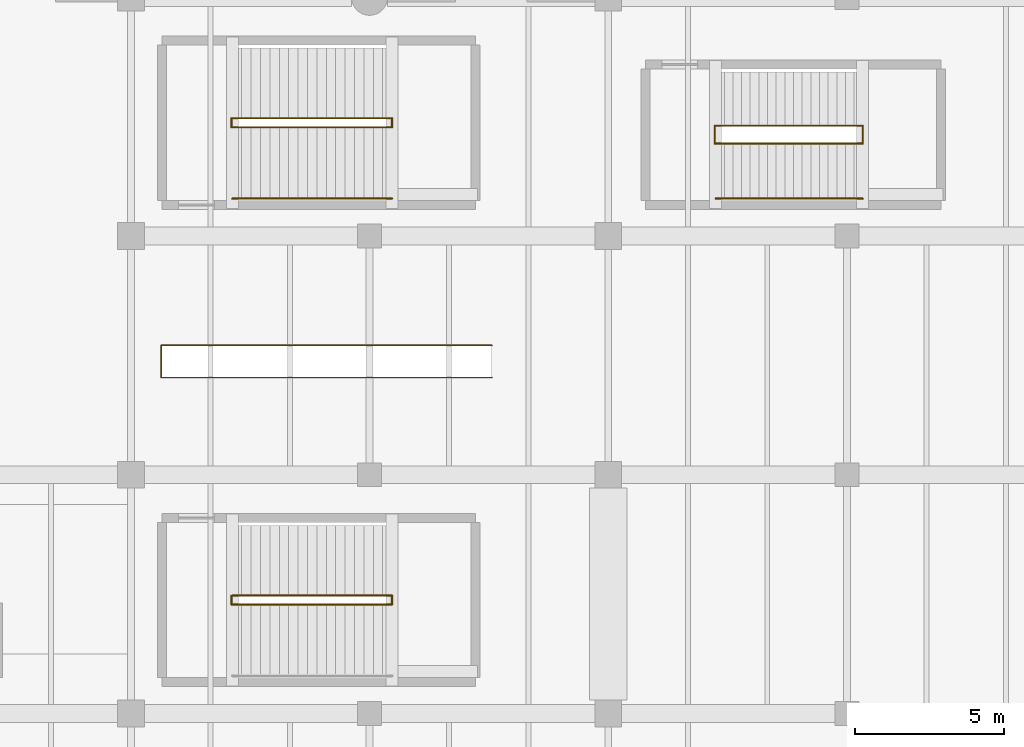
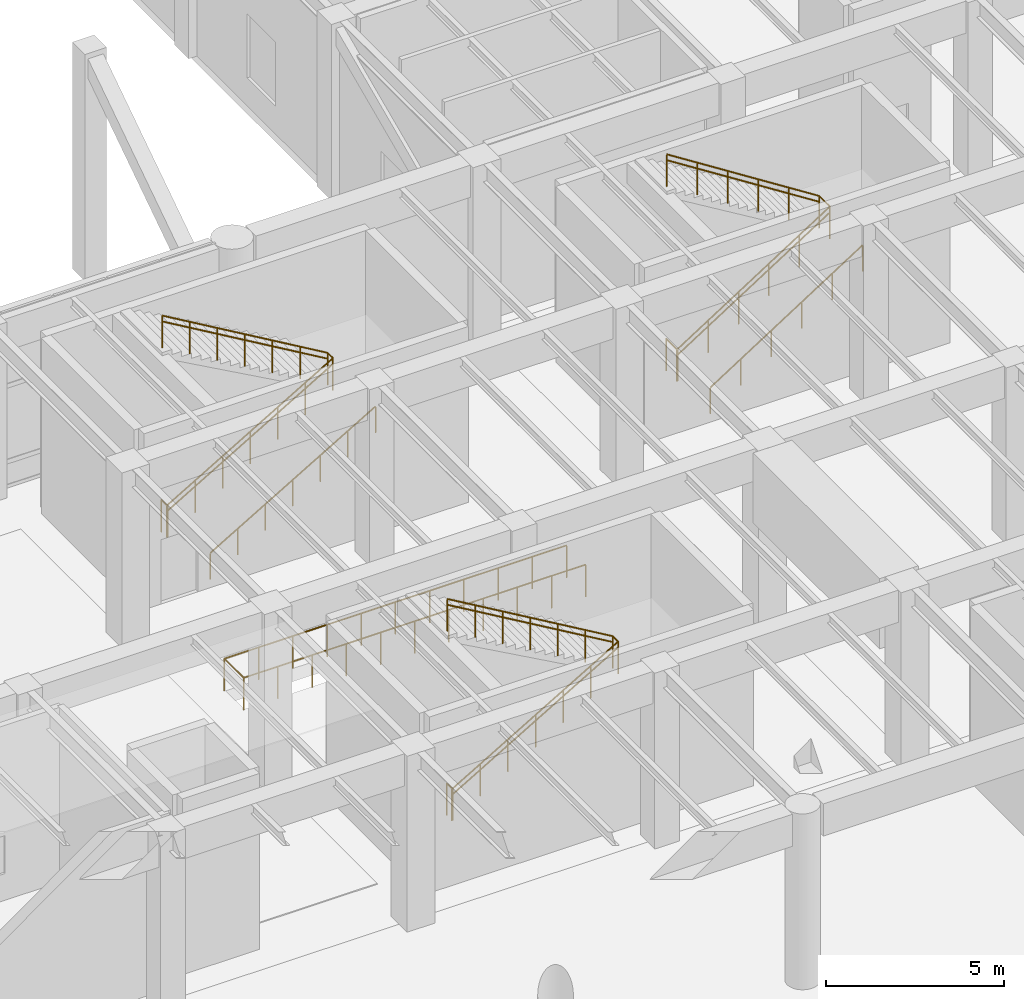
# One storey, part 48 of 51: 18 railings.
"""IFC4 building model written with IfcOpenShell, lengths in metres."""

from ifc_helpers import new_model, si_unit, direction, frame, origin, origin_2d, place, context, subcontext, project, spatial, circle, extrude, material, type_object, element, save


model = new_model("IFC4")

# Units and contexts
model_context = context("Model", 3, precision=1e-05, world=origin(), true_north=direction((0.0, 1.0)))
body_context = subcontext(model_context, "Body", "Model", "MODEL_VIEW")
ifc_project = project(units=[si_unit("LENGTHUNIT", "METRE"), si_unit("AREAUNIT", "SQUARE_METRE"), si_unit("VOLUMEUNIT", "CUBIC_METRE"), si_unit("PLANEANGLEUNIT", "RADIAN"), si_unit("MASSUNIT", "GRAM", prefix="KILO")], contexts=[model_context])

# Site, building, storey
site_placement = place(None, origin())
site = spatial("IfcSite", under=ifc_project, at=site_placement, CompositionType="ELEMENT")
building_placement = place(site_placement, origin())
building = spatial("IfcBuilding", under=site, at=building_placement, Name="Varnela Railside Interchange", CompositionType="ELEMENT")
storey_placement = place(building_placement, origin())
storey = spatial("IfcBuildingStorey", under=building, at=storey_placement, Name="L00", CompositionType="ELEMENT", Elevation=0.0)

# Railings
ifc_material_1 = material(Name="Glass laminated double", Category="glass")
railing_type_1 = type_object("IfcRailingType", Name="Concourse Atrium Balustrade BL-01", PredefinedType="BALUSTRADE", material=ifc_material_1)
railing_1_placement = place(storey_placement, frame((112.10009765625, 49.260009765625, 0.0)))
element("IfcRailing", 1, at=railing_1_placement, inside=storey, type_object=railing_type_1, Name="Escalator Well Balustrade ES6 (RL-0215)", PredefinedType="BALUSTRADE", context=body_context, shape_type="SweptSolid", body=[
    extrude(circle(Radius=0.02392578125, at=origin_2d()), frame((0.0, 0.0, 1.09619140625), z_axis=(-1.0, 0.0, 0.0), x_axis=(0.0, -1.0, 0.0)), (0.0, 0.0, 1.0), 11.080078125),
    extrude(circle(Radius=0.02392578125, at=origin_2d()), frame((-11.080078125, 0.0, 1.09619140625), z_axis=(0.0, 1.0, 0.0), x_axis=(-1.0, 0.0, 0.0)), (0.0, 0.0, 1.0), 1.080078125),
    extrude(circle(Radius=0.02392578125, at=origin_2d()), frame((-11.080078125, 1.080078125, 1.09619140625), z_axis=(1.0, 0.0, 0.0), x_axis=(0.0, 1.0, 0.0)), (0.0, 0.0, 1.0), 11.080078125),
    extrude(circle(Radius=0.02099609375, at=origin_2d()), origin(), (0.0, 0.0, 1.0), 1.072021484375),
    extrude(circle(Radius=0.02099609375, at=origin_2d()), frame((-1.10791015625, 0.0, 0.0)), (0.0, 0.0, 1.0), 1.072021484375),
    extrude(circle(Radius=0.02099609375, at=origin_2d()), frame((-2.216064453125, 0.0, 0.0)), (0.0, 0.0, 1.0), 1.072021484375),
    extrude(circle(Radius=0.02099609375, at=origin_2d()), frame((-3.323974609375, 0.0, 0.0)), (0.0, 0.0, 1.0), 1.072021484375),
    extrude(circle(Radius=0.02099609375, at=origin_2d()), frame((-4.43212890625, 0.0, 0.0)), (0.0, 0.0, 1.0), 1.072021484375),
    extrude(circle(Radius=0.02099609375, at=origin_2d()), frame((-5.5400390625, 0.0, 0.0)), (0.0, 0.0, 1.0), 1.072021484375),
    extrude(circle(Radius=0.02099609375, at=origin_2d()), frame((-6.64794921875, 0.0, 0.0)), (0.0, 0.0, 1.0), 1.072021484375),
    extrude(circle(Radius=0.02099609375, at=origin_2d()), frame((-7.756103515625, 0.0, 0.0)), (0.0, 0.0, 1.0), 1.072021484375),
    extrude(circle(Radius=0.02099609375, at=origin_2d()), frame((-8.864013671875, 0.0, 0.0)), (0.0, 0.0, 1.0), 1.072021484375),
    extrude(circle(Radius=0.02099609375, at=origin_2d()), frame((-9.97216796875, 0.0, 0.0)), (0.0, 0.0, 1.0), 1.072021484375),
    extrude(circle(Radius=0.02099609375, at=origin_2d()), frame((-11.080078125, 0.0, 0.0)), (0.0, 0.0, 1.0), 1.072021484375),
    extrude(circle(Radius=0.02099609375, at=origin_2d()), frame((-11.080078125, 1.080078125, 0.0)), (0.0, 0.0, 1.0), 1.072021484375),
    extrude(circle(Radius=0.02099609375, at=origin_2d()), frame((-9.97216796875, 1.080078125, 0.0)), (0.0, 0.0, 1.0), 1.072021484375),
    extrude(circle(Radius=0.02099609375, at=origin_2d()), frame((-8.864013671875, 1.080078125, 0.0)), (0.0, 0.0, 1.0), 1.072021484375),
    extrude(circle(Radius=0.02099609375, at=origin_2d()), frame((-7.756103515625, 1.080078125, 0.0)), (0.0, 0.0, 1.0), 1.072021484375),
    extrude(circle(Radius=0.02099609375, at=origin_2d()), frame((-6.64794921875, 1.080078125, 0.0)), (0.0, 0.0, 1.0), 1.072021484375),
    extrude(circle(Radius=0.02099609375, at=origin_2d()), frame((-5.5400390625, 1.080078125, 0.0)), (0.0, 0.0, 1.0), 1.072021484375),
    extrude(circle(Radius=0.02099609375, at=origin_2d()), frame((-4.43212890625, 1.080078125, 0.0)), (0.0, 0.0, 1.0), 1.072021484375),
    extrude(circle(Radius=0.02099609375, at=origin_2d()), frame((-3.323974609375, 1.080078125, 0.0)), (0.0, 0.0, 1.0), 1.072021484375),
    extrude(circle(Radius=0.02099609375, at=origin_2d()), frame((-2.216064453125, 1.080078125, 0.0)), (0.0, 0.0, 1.0), 1.072021484375),
    extrude(circle(Radius=0.02099609375, at=origin_2d()), frame((-1.10791015625, 1.080078125, 0.0)), (0.0, 0.0, 1.0), 1.072021484375),
    extrude(circle(Radius=0.02099609375, at=origin_2d()), frame((0.0, 1.080078125, 0.0)), (0.0, 0.0, 1.0), 1.072021484375),
])
ifc_material_2 = material(Name="Steel AR 350 (350 MPa)", Category="steel")
railing_type_2 = type_object("IfcRailingType", Name="Stair & Ramp Pitch Handrail HR-01", PredefinedType="HANDRAIL", material=ifc_material_2)
railing_2_placement = place(storey_placement, frame((119.60009765625, 57.10009765625, 0.0)))
element("IfcRailing", 2, at=railing_2_placement, inside=storey, type_object=railing_type_2, Name="Stair Handrail ST-E1 Flight 1 (RL-0224)", PredefinedType="HANDRAIL", context=body_context, shape_type="SweptSolid", body=[
    extrude(circle(Radius=0.02392578125, at=origin_2d()), frame((0.0, 0.0, 0.89599609375), z_axis=(0.842678903752, 0.0, 0.538416442144), x_axis=(0.0, 1.0, 0.0)), (0.0, 0.0, 1.0), 5.850341796875),
    extrude(circle(Radius=0.02099609375, at=origin_2d()), origin(), (0.0, 0.0, 1.0), 0.871826171875),
    extrude(circle(Radius=0.02099609375, at=origin_2d()), frame((0.986083984375, 0.0, 0.6298828125)), (0.0, 0.0, 1.0), 0.871826171875),
    extrude(circle(Radius=0.02099609375, at=origin_2d()), frame((1.971923828125, 0.0, 1.260009765625)), (0.0, 0.0, 1.0), 0.871826171875),
    extrude(circle(Radius=0.02099609375, at=origin_2d()), frame((2.9580078125, 0.0, 1.889892578125)), (0.0, 0.0, 1.0), 0.871826171875),
    extrude(circle(Radius=0.02099609375, at=origin_2d()), frame((3.94384765625, 0.0, 2.52001953125)), (0.0, 0.0, 1.0), 0.871826171875),
    extrude(circle(Radius=0.02099609375, at=origin_2d()), frame((4.929931640625, 0.0, 3.14990234375)), (0.0, 0.0, 1.0), 0.871826171875),
])
railing_3_placement = place(storey_placement, frame((124.530029296875, 57.699951171875, 3.14990234375)))
element("IfcRailing", 3, at=railing_3_placement, inside=storey, type_object=railing_type_2, Name="Stair Handrail ST-E1 Flight 2 (RL-0225)", PredefinedType="HANDRAIL", context=body_context, shape_type="SweptSolid", body=[
    extrude(circle(Radius=0.02392578125, at=origin_2d()), frame((0.0, 0.0, 0.89599609375), z_axis=(-0.842659969685, 0.0, 0.538446074821), x_axis=(0.0, -1.0, 0.0)), (0.0, 0.0, 1.0), 5.850341796875),
    extrude(circle(Radius=0.02099609375, at=origin_2d()), origin(), (0.0, 0.0, 1.0), 0.871826171875),
    extrude(circle(Radius=0.02099609375, at=origin_2d()), frame((-0.986083984375, 0.0, 0.630126953125)), (0.0, 0.0, 1.0), 0.871826171875),
    extrude(circle(Radius=0.02099609375, at=origin_2d()), frame((-1.971923828125, 0.0, 1.260009765625)), (0.0, 0.0, 1.0), 0.871826171875),
    extrude(circle(Radius=0.02099609375, at=origin_2d()), frame((-2.9580078125, 0.0, 1.89013671875)), (0.0, 0.0, 1.0), 0.871826171875),
    extrude(circle(Radius=0.02099609375, at=origin_2d()), frame((-3.94384765625, 0.0, 2.52001953125)), (0.0, 0.0, 1.0), 0.871826171875),
    extrude(circle(Radius=0.02099609375, at=origin_2d()), frame((-4.929931640625, 0.0, 3.150146484375)), (0.0, 0.0, 1.0), 0.871826171875),
])
railing_4_placement = place(storey_placement, frame((103.39990234375, 41.64990234375, 0.0)))
element("IfcRailing", 4, at=railing_4_placement, inside=storey, type_object=railing_type_2, Name="Stair Handrail ST-C2 Flight 1 (RL-0218)", PredefinedType="HANDRAIL", context=body_context, shape_type="SweptSolid", body=[
    extrude(circle(Radius=0.02392578125, at=origin_2d()), frame((0.0, 0.0, 0.89599609375), z_axis=(0.861940276329, 0.0, 0.507009822431), x_axis=(0.0, 1.0, 0.0)), (0.0, 0.0, 1.0), 6.212646484375),
    extrude(circle(Radius=0.02099609375, at=origin_2d()), origin(), (0.0, 0.0, 1.0), 0.871826171875),
    extrude(circle(Radius=0.02099609375, at=origin_2d()), frame((0.892578125, 0.0, 0.52490234375)), (0.0, 0.0, 1.0), 0.871826171875),
    extrude(circle(Radius=0.02099609375, at=origin_2d()), frame((1.784912109375, 0.0, 1.050048828125)), (0.0, 0.0, 1.0), 0.871826171875),
    extrude(circle(Radius=0.02099609375, at=origin_2d()), frame((2.677490234375, 0.0, 1.574951171875)), (0.0, 0.0, 1.0), 0.871826171875),
    extrude(circle(Radius=0.02099609375, at=origin_2d()), frame((3.570068359375, 0.0, 2.099853515625)), (0.0, 0.0, 1.0), 0.871826171875),
    extrude(circle(Radius=0.02099609375, at=origin_2d()), frame((4.46240234375, 0.0, 2.625)), (0.0, 0.0, 1.0), 0.871826171875),
    extrude(circle(Radius=0.02099609375, at=origin_2d()), frame((5.35498046875, 0.0, 3.14990234375)), (0.0, 0.0, 1.0), 0.871826171875),
])
railing_5_placement = place(storey_placement, frame((108.7548828125, 41.949951171875, 3.14990234375)))
element("IfcRailing", 5, at=railing_5_placement, inside=storey, type_object=railing_type_2, Name="Stair Handrail ST-C2 Flight 2 (RL-0219)", PredefinedType="HANDRAIL", context=body_context, shape_type="SweptSolid", body=[
    extrude(circle(Radius=0.02392578125, at=origin_2d()), frame((0.0, 0.0, 0.89599609375), z_axis=(-0.861923102912, 0.0, 0.507039016908), x_axis=(0.0, -1.0, 0.0)), (0.0, 0.0, 1.0), 6.212890625),
    extrude(circle(Radius=0.02099609375, at=origin_2d()), origin(), (0.0, 0.0, 1.0), 0.871826171875),
    extrude(circle(Radius=0.02099609375, at=origin_2d()), frame((-0.892578125, 0.0, 0.52490234375)), (0.0, 0.0, 1.0), 0.871826171875),
    extrude(circle(Radius=0.02099609375, at=origin_2d()), frame((-1.784912109375, 0.0, 1.050048828125)), (0.0, 0.0, 1.0), 0.871826171875),
    extrude(circle(Radius=0.02099609375, at=origin_2d()), frame((-2.677490234375, 0.0, 1.5751953125)), (0.0, 0.0, 1.0), 0.871826171875),
    extrude(circle(Radius=0.02099609375, at=origin_2d()), frame((-3.570068359375, 0.0, 2.10009765625)), (0.0, 0.0, 1.0), 0.871826171875),
    extrude(circle(Radius=0.02099609375, at=origin_2d()), frame((-4.46240234375, 0.0, 2.625)), (0.0, 0.0, 1.0), 0.871826171875),
    extrude(circle(Radius=0.02099609375, at=origin_2d()), frame((-5.35498046875, 0.0, 3.150146484375)), (0.0, 0.0, 1.0), 0.871826171875),
])
railing_6_placement = place(storey_placement, frame((103.39990234375, 57.64990234375, 0.0)))
element("IfcRailing", 6, at=railing_6_placement, inside=storey, type_object=railing_type_2, Name="Stair Handrail ST-C4 Flight 1 (RL-0222)", PredefinedType="HANDRAIL", context=body_context, shape_type="SweptSolid", body=[
    extrude(circle(Radius=0.02392578125, at=origin_2d()), frame((0.0, 0.0, 0.89599609375), z_axis=(0.861940276329, 0.0, 0.507009822431), x_axis=(0.0, 1.0, 0.0)), (0.0, 0.0, 1.0), 6.212646484375),
    extrude(circle(Radius=0.02099609375, at=origin_2d()), origin(), (0.0, 0.0, 1.0), 0.871826171875),
    extrude(circle(Radius=0.02099609375, at=origin_2d()), frame((0.892578125, 0.0, 0.52490234375)), (0.0, 0.0, 1.0), 0.871826171875),
    extrude(circle(Radius=0.02099609375, at=origin_2d()), frame((1.784912109375, 0.0, 1.050048828125)), (0.0, 0.0, 1.0), 0.871826171875),
    extrude(circle(Radius=0.02099609375, at=origin_2d()), frame((2.677490234375, 0.0, 1.574951171875)), (0.0, 0.0, 1.0), 0.871826171875),
    extrude(circle(Radius=0.02099609375, at=origin_2d()), frame((3.570068359375, 0.0, 2.099853515625)), (0.0, 0.0, 1.0), 0.871826171875),
    extrude(circle(Radius=0.02099609375, at=origin_2d()), frame((4.46240234375, 0.0, 2.625)), (0.0, 0.0, 1.0), 0.871826171875),
    extrude(circle(Radius=0.02099609375, at=origin_2d()), frame((5.35498046875, 0.0, 3.14990234375)), (0.0, 0.0, 1.0), 0.871826171875),
])
railing_7_placement = place(storey_placement, frame((108.7548828125, 57.949951171875, 3.14990234375)))
element("IfcRailing", 7, at=railing_7_placement, inside=storey, type_object=railing_type_2, Name="Stair Handrail ST-C4 Flight 2 (RL-0223)", PredefinedType="HANDRAIL", context=body_context, shape_type="SweptSolid", body=[
    extrude(circle(Radius=0.02392578125, at=origin_2d()), frame((0.0, 0.0, 0.89599609375), z_axis=(-0.861923102912, 0.0, 0.507039016908), x_axis=(0.0, -1.0, 0.0)), (0.0, 0.0, 1.0), 6.212890625),
    extrude(circle(Radius=0.02099609375, at=origin_2d()), origin(), (0.0, 0.0, 1.0), 0.871826171875),
    extrude(circle(Radius=0.02099609375, at=origin_2d()), frame((-0.892578125, 0.0, 0.52490234375)), (0.0, 0.0, 1.0), 0.871826171875),
    extrude(circle(Radius=0.02099609375, at=origin_2d()), frame((-1.784912109375, 0.0, 1.050048828125)), (0.0, 0.0, 1.0), 0.871826171875),
    extrude(circle(Radius=0.02099609375, at=origin_2d()), frame((-2.677490234375, 0.0, 1.5751953125)), (0.0, 0.0, 1.0), 0.871826171875),
    extrude(circle(Radius=0.02099609375, at=origin_2d()), frame((-3.570068359375, 0.0, 2.10009765625)), (0.0, 0.0, 1.0), 0.871826171875),
    extrude(circle(Radius=0.02099609375, at=origin_2d()), frame((-4.46240234375, 0.0, 2.625)), (0.0, 0.0, 1.0), 0.871826171875),
    extrude(circle(Radius=0.02099609375, at=origin_2d()), frame((-5.35498046875, 0.0, 3.150146484375)), (0.0, 0.0, 1.0), 0.871826171875),
])
railing_type_3 = type_object("IfcRailingType", Name="Stair Well & Landing Guard GR-02", PredefinedType="GUARDRAIL", material=ifc_material_2)
railing_8_placement = place(storey_placement, frame((119.570068359375, 57.10009765625, 0.0)))
element("IfcRailing", 8, at=railing_8_placement, inside=storey, type_object=railing_type_3, Name="Stair Well Slot Guard ST-E1 on L00 (RL-0187)", PredefinedType="GUARDRAIL", context=body_context, shape_type="SweptSolid", body=[
    extrude(circle(Radius=0.02392578125, at=origin_2d()), frame((0.0, 0.0, 1.09619140625), z_axis=(0.0, 1.0, 0.0), x_axis=(-1.0, 0.0, 0.0)), (0.0, 0.0, 1.0), 0.599853515625),
    extrude(circle(Radius=0.02099609375, at=origin_2d()), origin(), (0.0, 0.0, 1.0), 1.072021484375),
    extrude(circle(Radius=0.02099609375, at=origin_2d()), frame((0.0, 0.599853515625, 0.0)), (0.0, 0.0, 1.0), 1.072021484375),
])
railing_9_placement = place(storey_placement, frame((119.60009765625, 57.10009765625, 0.0)))
element("IfcRailing", 9, at=railing_9_placement, inside=storey, type_object=railing_type_3, Name="Stair Guard ST-E1 Half-Landing (RL-0185)", PredefinedType="GUARDRAIL", context=body_context, shape_type="SweptSolid", body=[
    extrude(circle(Radius=0.02392578125, at=origin_2d()), frame((0.0, 0.0, 1.09619140625), z_axis=(0.842678903752, 0.0, 0.538416442144), x_axis=(0.0, 1.0, 0.0)), (0.0, 0.0, 1.0), 5.850341796875),
    extrude(circle(Radius=0.02392578125, at=origin_2d()), frame((4.929931640625, 0.0, 4.24609375), z_axis=(0.0, 1.0, 0.0), x_axis=(-1.0, 0.0, 0.0)), (0.0, 0.0, 1.0), 0.599853515625),
    extrude(circle(Radius=0.02099609375, at=origin_2d()), origin(), (0.0, 0.0, 1.0), 1.072021484375),
    extrude(circle(Radius=0.02099609375, at=origin_2d()), frame((0.986083984375, 0.0, 0.6298828125)), (0.0, 0.0, 1.0), 1.072021484375),
    extrude(circle(Radius=0.02099609375, at=origin_2d()), frame((1.971923828125, 0.0, 1.260009765625)), (0.0, 0.0, 1.0), 1.072021484375),
    extrude(circle(Radius=0.02099609375, at=origin_2d()), frame((2.9580078125, 0.0, 1.889892578125)), (0.0, 0.0, 1.0), 1.072021484375),
    extrude(circle(Radius=0.02099609375, at=origin_2d()), frame((3.94384765625, 0.0, 2.52001953125)), (0.0, 0.0, 1.0), 1.072021484375),
    extrude(circle(Radius=0.02099609375, at=origin_2d()), frame((4.929931640625, 0.0, 3.14990234375)), (0.0, 0.0, 1.0), 1.072021484375),
    extrude(circle(Radius=0.02099609375, at=origin_2d()), frame((4.929931640625, 0.599853515625, 3.14990234375)), (0.0, 0.0, 1.0), 1.072021484375),
])
railing_10_placement = place(storey_placement, frame((124.530029296875, 57.699951171875, 3.14990234375)))
element("IfcRailing", 10, at=railing_10_placement, inside=storey, type_object=railing_type_3, Name="Stair Guard ST-E1 Upper Flight (RL-0186)", PredefinedType="GUARDRAIL", context=body_context, shape_type="SweptSolid", body=[
    extrude(circle(Radius=0.02392578125, at=origin_2d()), frame((0.0, 0.0, 1.09619140625), z_axis=(-0.842659969685, 0.0, 0.538446074821), x_axis=(0.0, -1.0, 0.0)), (0.0, 0.0, 1.0), 5.850341796875),
    extrude(circle(Radius=0.02099609375, at=origin_2d()), origin(), (0.0, 0.0, 1.0), 1.072021484375),
    extrude(circle(Radius=0.02099609375, at=origin_2d()), frame((-0.986083984375, 0.0, 0.630126953125)), (0.0, 0.0, 1.0), 1.072021484375),
    extrude(circle(Radius=0.02099609375, at=origin_2d()), frame((-1.971923828125, 0.0, 1.260009765625)), (0.0, 0.0, 1.0), 1.072021484375),
    extrude(circle(Radius=0.02099609375, at=origin_2d()), frame((-2.9580078125, 0.0, 1.89013671875)), (0.0, 0.0, 1.0), 1.072021484375),
    extrude(circle(Radius=0.02099609375, at=origin_2d()), frame((-3.94384765625, 0.0, 2.52001953125)), (0.0, 0.0, 1.0), 1.072021484375),
    extrude(circle(Radius=0.02099609375, at=origin_2d()), frame((-4.929931640625, 0.0, 3.150146484375)), (0.0, 0.0, 1.0), 1.072021484375),
])
railing_11_placement = place(storey_placement, frame((103.3701171875, 41.64990234375, 0.0)))
element("IfcRailing", 11, at=railing_11_placement, inside=storey, type_object=railing_type_3, Name="Stair Well Slot Guard ST-C2 on L00 (RL-0178)", PredefinedType="GUARDRAIL", context=body_context, shape_type="SweptSolid", body=[
    extrude(circle(Radius=0.02392578125, at=origin_2d()), frame((0.0, 0.0, 1.09619140625), z_axis=(0.0, 1.0, 0.0), x_axis=(-1.0, 0.0, 0.0)), (0.0, 0.0, 1.0), 0.300048828125),
    extrude(circle(Radius=0.02099609375, at=origin_2d()), origin(), (0.0, 0.0, 1.0), 1.072021484375),
    extrude(circle(Radius=0.02099609375, at=origin_2d()), frame((0.0, 0.300048828125, 0.0)), (0.0, 0.0, 1.0), 1.072021484375),
])
railing_12_placement = place(storey_placement, frame((103.39990234375, 41.64990234375, 0.0)))
element("IfcRailing", 12, at=railing_12_placement, inside=storey, type_object=railing_type_3, Name="Stair Guard ST-C2 Half-Landing (RL-0176)", PredefinedType="GUARDRAIL", context=body_context, shape_type="SweptSolid", body=[
    extrude(circle(Radius=0.02392578125, at=origin_2d()), frame((0.0, 0.0, 1.09619140625), z_axis=(0.861940276329, 0.0, 0.507009822431), x_axis=(0.0, 1.0, 0.0)), (0.0, 0.0, 1.0), 6.212646484375),
    extrude(circle(Radius=0.02392578125, at=origin_2d()), frame((5.35498046875, 0.0, 4.24609375), z_axis=(0.0, 1.0, 0.0), x_axis=(-1.0, 0.0, 0.0)), (0.0, 0.0, 1.0), 0.300048828125),
    extrude(circle(Radius=0.02099609375, at=origin_2d()), origin(), (0.0, 0.0, 1.0), 1.072021484375),
    extrude(circle(Radius=0.02099609375, at=origin_2d()), frame((0.892578125, 0.0, 0.52490234375)), (0.0, 0.0, 1.0), 1.072021484375),
    extrude(circle(Radius=0.02099609375, at=origin_2d()), frame((1.784912109375, 0.0, 1.050048828125)), (0.0, 0.0, 1.0), 1.072021484375),
    extrude(circle(Radius=0.02099609375, at=origin_2d()), frame((2.677490234375, 0.0, 1.574951171875)), (0.0, 0.0, 1.0), 1.072021484375),
    extrude(circle(Radius=0.02099609375, at=origin_2d()), frame((3.570068359375, 0.0, 2.099853515625)), (0.0, 0.0, 1.0), 1.072021484375),
    extrude(circle(Radius=0.02099609375, at=origin_2d()), frame((4.46240234375, 0.0, 2.625)), (0.0, 0.0, 1.0), 1.072021484375),
    extrude(circle(Radius=0.02099609375, at=origin_2d()), frame((5.35498046875, 0.0, 3.14990234375)), (0.0, 0.0, 1.0), 1.072021484375),
    extrude(circle(Radius=0.02099609375, at=origin_2d()), frame((5.35498046875, 0.300048828125, 3.14990234375)), (0.0, 0.0, 1.0), 1.072021484375),
])
railing_13_placement = place(storey_placement, frame((108.7548828125, 41.949951171875, 3.14990234375)))
element("IfcRailing", 13, at=railing_13_placement, inside=storey, type_object=railing_type_3, Name="Stair Guard ST-C2 Upper Flight (RL-0177)", PredefinedType="GUARDRAIL", context=body_context, shape_type="SweptSolid", body=[
    extrude(circle(Radius=0.02392578125, at=origin_2d()), frame((0.0, 0.0, 1.09619140625), z_axis=(-0.861923102912, 0.0, 0.507039016908), x_axis=(0.0, -1.0, 0.0)), (0.0, 0.0, 1.0), 6.212890625),
    extrude(circle(Radius=0.02099609375, at=origin_2d()), origin(), (0.0, 0.0, 1.0), 1.072021484375),
    extrude(circle(Radius=0.02099609375, at=origin_2d()), frame((-0.892578125, 0.0, 0.52490234375)), (0.0, 0.0, 1.0), 1.072021484375),
    extrude(circle(Radius=0.02099609375, at=origin_2d()), frame((-1.784912109375, 0.0, 1.050048828125)), (0.0, 0.0, 1.0), 1.072021484375),
    extrude(circle(Radius=0.02099609375, at=origin_2d()), frame((-2.677490234375, 0.0, 1.5751953125)), (0.0, 0.0, 1.0), 1.072021484375),
    extrude(circle(Radius=0.02099609375, at=origin_2d()), frame((-3.570068359375, 0.0, 2.10009765625)), (0.0, 0.0, 1.0), 1.072021484375),
    extrude(circle(Radius=0.02099609375, at=origin_2d()), frame((-4.46240234375, 0.0, 2.625)), (0.0, 0.0, 1.0), 1.072021484375),
    extrude(circle(Radius=0.02099609375, at=origin_2d()), frame((-5.35498046875, 0.0, 3.150146484375)), (0.0, 0.0, 1.0), 1.072021484375),
])
railing_14_placement = place(storey_placement, frame((103.3701171875, 57.64990234375, 0.0)))
element("IfcRailing", 14, at=railing_14_placement, inside=storey, type_object=railing_type_3, Name="Stair Well Slot Guard ST-C4 on L00 (RL-0184)", PredefinedType="GUARDRAIL", context=body_context, shape_type="SweptSolid", body=[
    extrude(circle(Radius=0.02392578125, at=origin_2d()), frame((0.0, 0.0, 1.09619140625), z_axis=(0.0, 1.0, 0.0), x_axis=(-1.0, 0.0, 0.0)), (0.0, 0.0, 1.0), 0.300048828125),
    extrude(circle(Radius=0.02099609375, at=origin_2d()), origin(), (0.0, 0.0, 1.0), 1.072021484375),
    extrude(circle(Radius=0.02099609375, at=origin_2d()), frame((0.0, 0.300048828125, 0.0)), (0.0, 0.0, 1.0), 1.072021484375),
])
railing_15_placement = place(storey_placement, frame((103.39990234375, 57.64990234375, 0.0)))
element("IfcRailing", 15, at=railing_15_placement, inside=storey, type_object=railing_type_3, Name="Stair Guard ST-C4 Half-Landing (RL-0182)", PredefinedType="GUARDRAIL", context=body_context, shape_type="SweptSolid", body=[
    extrude(circle(Radius=0.02392578125, at=origin_2d()), frame((0.0, 0.0, 1.09619140625), z_axis=(0.861940276329, 0.0, 0.507009822431), x_axis=(0.0, 1.0, 0.0)), (0.0, 0.0, 1.0), 6.212646484375),
    extrude(circle(Radius=0.02392578125, at=origin_2d()), frame((5.35498046875, 0.0, 4.24609375), z_axis=(0.0, 1.0, 0.0), x_axis=(-1.0, 0.0, 0.0)), (0.0, 0.0, 1.0), 0.300048828125),
    extrude(circle(Radius=0.02099609375, at=origin_2d()), origin(), (0.0, 0.0, 1.0), 1.072021484375),
    extrude(circle(Radius=0.02099609375, at=origin_2d()), frame((0.892578125, 0.0, 0.52490234375)), (0.0, 0.0, 1.0), 1.072021484375),
    extrude(circle(Radius=0.02099609375, at=origin_2d()), frame((1.784912109375, 0.0, 1.050048828125)), (0.0, 0.0, 1.0), 1.072021484375),
    extrude(circle(Radius=0.02099609375, at=origin_2d()), frame((2.677490234375, 0.0, 1.574951171875)), (0.0, 0.0, 1.0), 1.072021484375),
    extrude(circle(Radius=0.02099609375, at=origin_2d()), frame((3.570068359375, 0.0, 2.099853515625)), (0.0, 0.0, 1.0), 1.072021484375),
    extrude(circle(Radius=0.02099609375, at=origin_2d()), frame((4.46240234375, 0.0, 2.625)), (0.0, 0.0, 1.0), 1.072021484375),
    extrude(circle(Radius=0.02099609375, at=origin_2d()), frame((5.35498046875, 0.0, 3.14990234375)), (0.0, 0.0, 1.0), 1.072021484375),
    extrude(circle(Radius=0.02099609375, at=origin_2d()), frame((5.35498046875, 0.300048828125, 3.14990234375)), (0.0, 0.0, 1.0), 1.072021484375),
])
railing_16_placement = place(storey_placement, frame((108.7548828125, 57.949951171875, 3.14990234375)))
element("IfcRailing", 16, at=railing_16_placement, inside=storey, type_object=railing_type_3, Name="Stair Guard ST-C4 Upper Flight (RL-0183)", PredefinedType="GUARDRAIL", context=body_context, shape_type="SweptSolid", body=[
    extrude(circle(Radius=0.02392578125, at=origin_2d()), frame((0.0, 0.0, 1.09619140625), z_axis=(-0.861923102912, 0.0, 0.507039016908), x_axis=(0.0, -1.0, 0.0)), (0.0, 0.0, 1.0), 6.212890625),
    extrude(circle(Radius=0.02099609375, at=origin_2d()), origin(), (0.0, 0.0, 1.0), 1.072021484375),
    extrude(circle(Radius=0.02099609375, at=origin_2d()), frame((-0.892578125, 0.0, 0.52490234375)), (0.0, 0.0, 1.0), 1.072021484375),
    extrude(circle(Radius=0.02099609375, at=origin_2d()), frame((-1.784912109375, 0.0, 1.050048828125)), (0.0, 0.0, 1.0), 1.072021484375),
    extrude(circle(Radius=0.02099609375, at=origin_2d()), frame((-2.677490234375, 0.0, 1.5751953125)), (0.0, 0.0, 1.0), 1.072021484375),
    extrude(circle(Radius=0.02099609375, at=origin_2d()), frame((-3.570068359375, 0.0, 2.10009765625)), (0.0, 0.0, 1.0), 1.072021484375),
    extrude(circle(Radius=0.02099609375, at=origin_2d()), frame((-4.46240234375, 0.0, 2.625)), (0.0, 0.0, 1.0), 1.072021484375),
    extrude(circle(Radius=0.02099609375, at=origin_2d()), frame((-5.35498046875, 0.0, 3.150146484375)), (0.0, 0.0, 1.0), 1.072021484375),
])
railing_type_4 = type_object("IfcRailingType", Name="Wall-Mounted Stair Handrail HR-02", PredefinedType="HANDRAIL", material=ifc_material_2)
railing_17_placement = place(storey_placement, frame((119.60009765625, 55.260009765625, 0.0)))
element("IfcRailing", 17, at=railing_17_placement, inside=storey, type_object=railing_type_4, Name="Wall Handrail ST-E1 Flight 1 (RL-0250)", PredefinedType="HANDRAIL", context=body_context, shape_type="SweptSolid", body=[
    extrude(circle(Radius=0.02392578125, at=origin_2d()), frame((0.0, 0.0, 0.89599609375), z_axis=(0.842678903752, 0.0, 0.538416442144), x_axis=(0.0, 1.0, 0.0)), (0.0, 0.0, 1.0), 5.850341796875),
    extrude(circle(Radius=0.02099609375, at=origin_2d()), origin(), (0.0, 0.0, 1.0), 0.871826171875),
    extrude(circle(Radius=0.02099609375, at=origin_2d()), frame((0.986083984375, 0.0, 0.6298828125)), (0.0, 0.0, 1.0), 0.871826171875),
    extrude(circle(Radius=0.02099609375, at=origin_2d()), frame((1.971923828125, 0.0, 1.260009765625)), (0.0, 0.0, 1.0), 0.871826171875),
    extrude(circle(Radius=0.02099609375, at=origin_2d()), frame((2.9580078125, 0.0, 1.889892578125)), (0.0, 0.0, 1.0), 0.871826171875),
    extrude(circle(Radius=0.02099609375, at=origin_2d()), frame((3.94384765625, 0.0, 2.52001953125)), (0.0, 0.0, 1.0), 0.871826171875),
    extrude(circle(Radius=0.02099609375, at=origin_2d()), frame((4.929931640625, 0.0, 3.14990234375)), (0.0, 0.0, 1.0), 0.871826171875),
])
railing_18_placement = place(storey_placement, frame((103.39990234375, 55.260009765625, 0.0)))
element("IfcRailing", 18, at=railing_18_placement, inside=storey, type_object=railing_type_4, Name="Wall Handrail ST-C4 Flight 1 (RL-0249)", PredefinedType="HANDRAIL", context=body_context, shape_type="SweptSolid", body=[
    extrude(circle(Radius=0.02392578125, at=origin_2d()), frame((0.0, 0.0, 0.89599609375), z_axis=(0.861940276329, 0.0, 0.507009822431), x_axis=(0.0, 1.0, 0.0)), (0.0, 0.0, 1.0), 6.212646484375),
    extrude(circle(Radius=0.02099609375, at=origin_2d()), origin(), (0.0, 0.0, 1.0), 0.871826171875),
    extrude(circle(Radius=0.02099609375, at=origin_2d()), frame((0.892578125, 0.0, 0.52490234375)), (0.0, 0.0, 1.0), 0.871826171875),
    extrude(circle(Radius=0.02099609375, at=origin_2d()), frame((1.784912109375, 0.0, 1.050048828125)), (0.0, 0.0, 1.0), 0.871826171875),
    extrude(circle(Radius=0.02099609375, at=origin_2d()), frame((2.677490234375, 0.0, 1.574951171875)), (0.0, 0.0, 1.0), 0.871826171875),
    extrude(circle(Radius=0.02099609375, at=origin_2d()), frame((3.570068359375, 0.0, 2.099853515625)), (0.0, 0.0, 1.0), 0.871826171875),
    extrude(circle(Radius=0.02099609375, at=origin_2d()), frame((4.46240234375, 0.0, 2.625)), (0.0, 0.0, 1.0), 0.871826171875),
    extrude(circle(Radius=0.02099609375, at=origin_2d()), frame((5.35498046875, 0.0, 3.14990234375)), (0.0, 0.0, 1.0), 0.871826171875),
])

save(model, "model.ifc")
